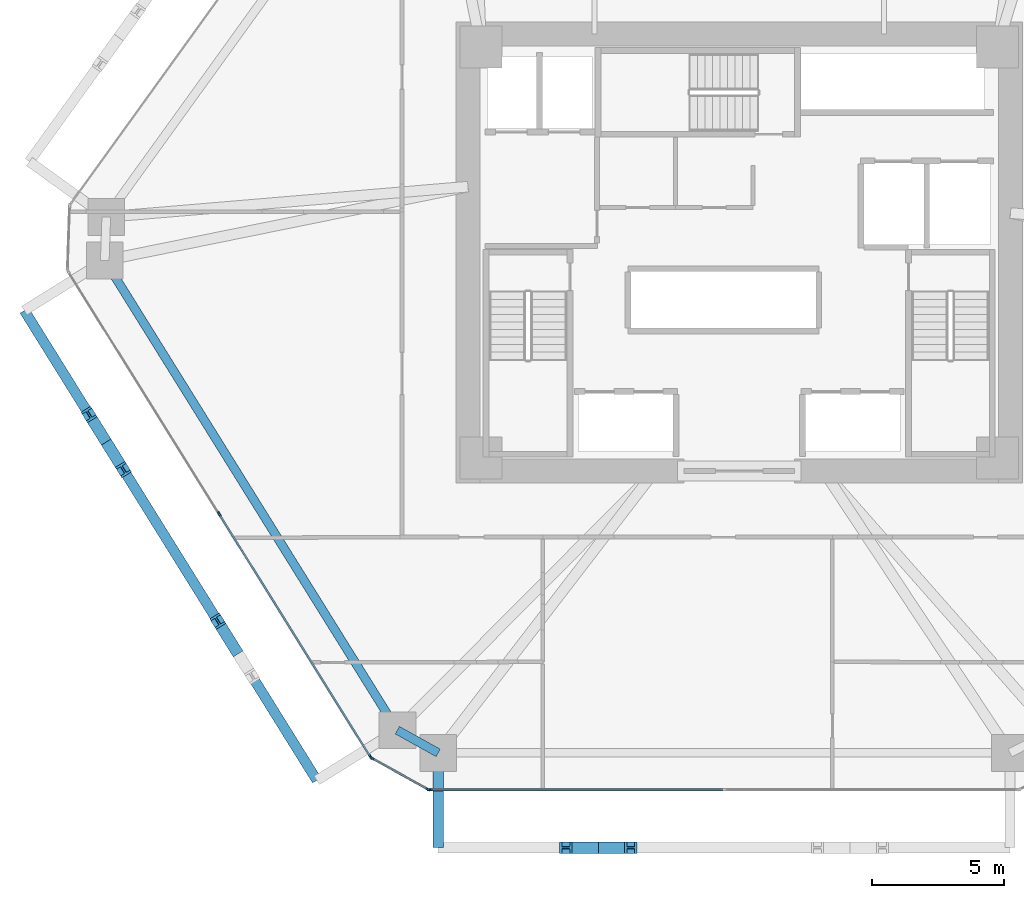
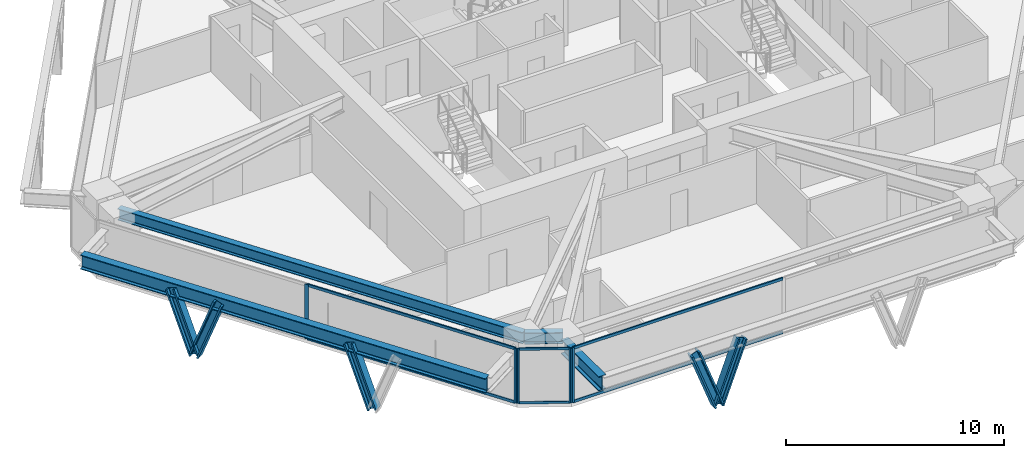
# One storey, part 2 of 14: 16 members, 4 beams, 3 elements without a shape of their own.
"""IFC4 building model written with IfcOpenShell, lengths in metres."""

from ifc_helpers import new_model, si_unit, direction, frame, origin, origin_2d, place, context, subcontext, project, spatial, rectangle, i_section, extrude, source, transform, mapped, material, layer, layer_set, material_profile, profile_set, type_object, type_shapes, element, aggregate, save


model = new_model("IFC4")

# Units and contexts
model_context = context("Model", 3, precision=1e-05, world=origin(), true_north=direction((0.0, 1.0)))
body_context = subcontext(model_context, "Body", "Model", "MODEL_VIEW")
ifc_project = project(units=[si_unit("LENGTHUNIT", "METRE"), si_unit("AREAUNIT", "SQUARE_METRE"), si_unit("VOLUMEUNIT", "CUBIC_METRE"), si_unit("PLANEANGLEUNIT", "RADIAN"), si_unit("MASSUNIT", "GRAM", prefix="KILO")], contexts=[model_context])

# Site, building, storey
site_placement = place(None, origin())
site = spatial("IfcSite", under=ifc_project, at=site_placement, CompositionType="ELEMENT")
building_placement = place(site_placement, origin())
building = spatial("IfcBuilding", under=site, at=building_placement, Name="Durnholm Broadcast Tower", CompositionType="ELEMENT")
storey_placement = place(building_placement, frame((0.0, 0.0, 48.89990234375)))
storey = spatial("IfcBuildingStorey", under=building, at=storey_placement, Name="L11", CompositionType="ELEMENT", Elevation=48.89990234375)

# Beams
ifc_material_1 = material(Name="Steel ASTM A992 Grade 50", Category="steel")
ifc_material_profile_1 = material_profile(ifc_material_1, i_section(OverallWidth=0.3291015625, OverallDepth=0.635009765625, WebThickness=0.017822265625, FlangeThickness=0.031005859375, FilletRadius=0.02783203125, at=origin_2d()), Name="W24X162")
ifc_profile_set_1 = profile_set([ifc_material_profile_1], Name="Steel ASTM A992 Grade 50")
beam_type_1 = type_object("IfcBeamType", Name="STL-SP-W24X162", PredefinedType="SPANDREL", material=ifc_profile_set_1)
shared_shape_1 = source(origin(), body_context, "Body", "SweptSolid", [
    extrude(i_section(OverallWidth=0.3291015625, OverallDepth=0.635009765625, WebThickness=0.017822265625, FlangeThickness=0.031005859375, FilletRadius=0.02783203125, at=origin_2d()), origin(), (0.0, 0.0, 1.0), 21.014404296875),
])
beam_1_placement = place(storey_placement, frame((-12.982666015625, -18.138427734375, 2.7275390625), z_axis=(-0.528595731543, 0.848873696491, 0.0), x_axis=(-0.848873696491, -0.528595731543, 0.0)))
element("IfcBeam", 1, at=beam_1_placement, inside=storey, type_object=beam_type_1, Name="L11 perimeter spandrel girder 01", PredefinedType="SPANDREL", context=body_context, shape_type="MappedRepresentation", body=[
    mapped(shared_shape_1, transform((0.0, 0.0, 0.0), x_axis=(1.0, 0.0, 0.0), y_axis=(0.0, 1.0, 0.0), z_axis=(0.0, 0.0, 1.0), scale=1.0)),
])
shared_shape_2 = source(origin(), body_context, "Body", "SweptSolid", [
    extrude(i_section(OverallWidth=0.3291015625, OverallDepth=0.635009765625, WebThickness=0.017822265625, FlangeThickness=0.031005859375, FilletRadius=0.02783203125, at=origin_2d()), origin(), (0.0, 0.0, 1.0), 1.774658203125),
])
type_shapes(beam_type_1, [shared_shape_1, shared_shape_2])
beam_2_placement = place(storey_placement, frame((-11.43115234375, -19.0, 2.7275390625), z_axis=(-0.874248107979, 0.485479397806, 0.0), x_axis=(-0.485479397806, -0.874248107979, 0.0)))
element("IfcBeam", 2, at=beam_2_placement, inside=storey, type_object=beam_type_1, Name="L11 perimeter spandrel girder 12", PredefinedType="SPANDREL", context=body_context, shape_type="MappedRepresentation", body=[
    mapped(shared_shape_2, transform((0.0, 0.0, 0.0), x_axis=(1.0, 0.0, 0.0), y_axis=(0.0, 1.0, 0.0), z_axis=(0.0, 0.0, 1.0), scale=1.0)),
])
ifc_material_profile_2 = material_profile(ifc_material_1, i_section(OverallWidth=0.385009765625, OverallDepth=0.802978515625, WebThickness=0.023681640625, FlangeThickness=0.0419921875, FilletRadius=0.032958984375, at=origin_2d()), Name="W30X261")
ifc_profile_set_2 = profile_set([ifc_material_profile_2], Name="Steel ASTM A992 Grade 50")
beam_type_2 = type_object("IfcBeamType", Name="BM-EXO-TIE", PredefinedType="USERDEFINED", material=ifc_profile_set_2)
shared_shape_3 = source(origin(), body_context, "Body", "SweptSolid", [
    extrude(i_section(OverallWidth=0.385009765625, OverallDepth=0.802978515625, WebThickness=0.023681640625, FlangeThickness=0.0419921875, FilletRadius=0.032958984375, at=origin_2d()), origin(), (0.0, 0.0, 1.0), 3.4560546875),
])
beam_3_placement = place(storey_placement, frame((-11.43115234375, -19.14404296875, 2.30859375), z_axis=(0.0, -1.0, 0.0), x_axis=(1.0, 0.0, 0.0)))
element("IfcBeam", 3, at=beam_3_placement, inside=storey, type_object=beam_type_2, Name="L11 exoskeleton stand-off tie bracket F1.1", ObjectType="GIRDER", PredefinedType="USERDEFINED", context=body_context, shape_type="MappedRepresentation", body=[
    mapped(shared_shape_3, transform((0.0, 0.0, 0.0), x_axis=(1.0, 0.0, 0.0), y_axis=(0.0, 1.0, 0.0), z_axis=(0.0, 0.0, 1.0), scale=1.0)),
])
shared_shape_4 = source(origin(), body_context, "Body", "SweptSolid", [
    extrude(i_section(OverallWidth=0.385009765625, OverallDepth=0.802978515625, WebThickness=0.023681640625, FlangeThickness=0.0419921875, FilletRadius=0.032958984375, at=origin_2d()), origin(), (0.0, 0.0, 1.0), 21.0146484375),
])
type_shapes(beam_type_2, [shared_shape_3, shared_shape_4])
beam_4_placement = place(storey_placement, frame((-27.146728515625, -2.20263671875, 2.30859375), z_axis=(0.528590518575, -0.848876942597, 0.0), x_axis=(0.848876942597, 0.528590518575, 0.0)))
element("IfcBeam", 4, at=beam_4_placement, inside=storey, type_object=beam_type_2, Name="L11 exoskeleton collector spandrel F6", PredefinedType="SPANDREL", context=body_context, shape_type="MappedRepresentation", body=[
    mapped(shared_shape_4, transform((0.0, 0.0, 0.0), x_axis=(1.0, 0.0, 0.0), y_axis=(0.0, 1.0, 0.0), z_axis=(0.0, 0.0, 1.0), scale=1.0)),
])

# Members
ifc_material_2 = material(Name="Steel ASTM A913 Grade 65", Category="steel")
ifc_material_profile_3 = material_profile(ifc_material_2, i_section(OverallWidth=0.43212890625, OverallDepth=0.497802734375, WebThickness=0.0556640625, FlangeThickness=0.0888671875, FilletRadius=0.030517578125, at=origin_2d()), Name="W14X500")
ifc_profile_set_3 = profile_set([ifc_material_profile_3], Name="Steel ASTM A913 Grade 65")
member_type_1 = type_object("IfcMemberType", Name="STL-DG-W14X500", PredefinedType="BRACE", material=ifc_profile_set_3)
shared_shape_5 = source(origin(), body_context, "Body", "SweptSolid", [
    extrude(i_section(OverallWidth=0.43212890625, OverallDepth=0.497802734375, WebThickness=0.0556640625, FlangeThickness=0.0888671875, FilletRadius=0.030517578125, at=origin_2d()), origin(), (0.0, 0.0, 1.0), 3.523193359375),
])
type_shapes(member_type_1, [shared_shape_5])
for number, where, z_axis, x_axis, name in (
    (5, (-5.351318359375, -22.60009765625, -0.991455078125), (-0.350219588454, 0.0, 0.936667625075), (0.0, -1.0, 0.0), "L11 stand-off diagrid brace F1.D1.1"),
    (6, (-5.351318359375, -22.60009765625, -0.991455078125), (0.350219588454, 0.0, 0.936667625075), (0.0, 1.0, 0.0), "L11 stand-off diagrid brace F1.D1.2"),
    (7, (-24.036376953125, -7.197509765625, -0.991455078125), (-0.185157304084, 0.297277258428, 0.936665897941), (-0.848819847179, -0.528682198523, 0.0), "L11 stand-off diagrid brace F6.D1.1"),
    (8, (-24.036376953125, -7.197509765625, -0.991455078125), (0.185090383068, -0.297281072018, 0.936677913861), (0.848908635391, 0.528539618911, 0.0), "L11 stand-off diagrid brace F6.D1.2"),
    (9, (-19.14892578125, -15.04638671875, -0.991455078125), (-0.185090383068, 0.297281072018, 0.936677913861), (-0.848908635391, -0.528539618911, 0.0), "L11 stand-off diagrid brace F6.D2.1"),
):
    element("IfcMember", number, at=place(storey_placement, frame(where, z_axis=z_axis, x_axis=x_axis)), inside=storey, type_object=member_type_1, Name=name, PredefinedType="BRACE", context=body_context, shape_type="MappedRepresentation", body=[
        mapped(shared_shape_5, transform((0.0, 0.0, 0.0), x_axis=(1.0, 0.0, 0.0), y_axis=(0.0, 1.0, 0.0), z_axis=(0.0, 0.0, 1.0), scale=1.0)),
    ])

# Curtain wall, members
ifc_material_3 = material(Name="Aluminium and Solar Control IGU", Category="aluminium")
ifc_layer_1 = layer(ifc_material_3, 0.1650390625)
ifc_layer_set_1 = layer_set([ifc_layer_1], Name="Aluminium and Solar Control IGU")
curtain_wall_type_1 = type_object("IfcCurtainWallType", Name="CW-SYS-5", PredefinedType="NOTDEFINED", material=ifc_layer_set_1)
curtain_wall_1_placement = place(storey_placement, origin())
curtain_wall_1 = element("IfcCurtainWall", 10, at=curtain_wall_1_placement, inside=storey, type_object=curtain_wall_type_1, Name="L11 curtain wall CW-CORNER CW-L11-CRN-11", PredefinedType="NOTDEFINED")
ifc_material_4 = material(Name="Aluminium 6063-T6", Category="aluminium")
ifc_material_profile_4 = material_profile(ifc_material_4, rectangle(XDim=0.06494140625, YDim=0.1650390625, at=origin_2d()), Name="CWM65X165")
ifc_profile_set_4 = profile_set([ifc_material_profile_4], Name="Aluminium 6063-T6")
member_type_2 = type_object("IfcMemberType", Name="CW-SYS-5-MUL", PredefinedType="MULLION", material=ifc_profile_set_4)
shared_shape_6 = source(origin(), body_context, "Body", "SweptSolid", [
    extrude(rectangle(XDim=0.06494140625, YDim=0.1650390625, at=origin_2d()), origin(), (0.0, 0.0, 1.0), 3.06005859375),
])
type_shapes(member_type_2, [shared_shape_6])
member_1_placement = place(storey_placement, frame((-11.822265625, -20.38427734375, 0.0), z_axis=(0.0, 0.0, 1.0), x_axis=(-0.485483299359, -0.874245941394, 0.0)))
member_1 = element("IfcMember", 11, at=member_1_placement, type_object=member_type_2, Name="CW-CORNER mullion 1", PredefinedType="MULLION", context=body_context, shape_type="MappedRepresentation", body=[
    mapped(shared_shape_6, transform((0.0, 0.0, 0.0), x_axis=(1.0, 0.0, 0.0), y_axis=(0.0, 1.0, 0.0), z_axis=(0.0, 0.0, 1.0), scale=1.0)),
])
member_2_placement = place(storey_placement, frame((-13.950927734375, -19.2021484375, 0.0), z_axis=(0.0, 0.0, 1.0), x_axis=(-0.485483299359, -0.874245941394, 0.0)))
member_2 = element("IfcMember", 12, at=member_2_placement, type_object=member_type_2, Name="CW-CORNER mullion 2", PredefinedType="MULLION", context=body_context, shape_type="MappedRepresentation", body=[
    mapped(shared_shape_6, transform((0.0, 0.0, 0.0), x_axis=(1.0, 0.0, 0.0), y_axis=(0.0, 1.0, 0.0), z_axis=(0.0, 0.0, 1.0), scale=1.0)),
])
ifc_material_profile_5 = material_profile(ifc_material_4, rectangle(XDim=0.06494140625, YDim=0.1298828125, at=origin_2d()), Name="CWT65X130")
ifc_profile_set_5 = profile_set([ifc_material_profile_5], Name="Aluminium 6063-T6")
member_type_3 = type_object("IfcMemberType", Name="CW-SYS-5-TRN", PredefinedType="USERDEFINED", material=ifc_profile_set_5)
shared_shape_7 = source(origin(), body_context, "Body", "SweptSolid", [
    extrude(rectangle(XDim=0.06494140625, YDim=0.1298828125, at=origin_2d()), origin(), (0.0, 0.0, 1.0), 2.3701171875),
])
type_shapes(member_type_3, [shared_shape_7])
member_3_placement = place(storey_placement, frame((-11.8505859375, -20.368408203125, 0.03271484375), z_axis=(-0.874244723151, 0.485485493132, 0.0), x_axis=(-0.485485493132, -0.874244723151, 0.0)))
member_3 = element("IfcMember", 13, at=member_3_placement, type_object=member_type_3, Name="CW-CORNER transom 1.1", ObjectType="TRANSOM", PredefinedType="USERDEFINED", context=body_context, shape_type="MappedRepresentation", body=[
    mapped(shared_shape_7, transform((0.0, 0.0, 0.0), x_axis=(1.0, 0.0, 0.0), y_axis=(0.0, 1.0, 0.0), z_axis=(0.0, 0.0, 1.0), scale=1.0)),
])
member_4_placement = place(storey_placement, frame((-11.8505859375, -20.368408203125, 3.027587890625), z_axis=(-0.874244723151, 0.485485493132, 0.0), x_axis=(-0.485485493132, -0.874244723151, 0.0)))
member_4 = element("IfcMember", 14, at=member_4_placement, type_object=member_type_3, Name="CW-CORNER transom 1.2", ObjectType="TRANSOM", PredefinedType="USERDEFINED", context=body_context, shape_type="MappedRepresentation", body=[
    mapped(shared_shape_7, transform((0.0, 0.0, 0.0), x_axis=(1.0, 0.0, 0.0), y_axis=(0.0, 1.0, 0.0), z_axis=(0.0, 0.0, 1.0), scale=1.0)),
])
aggregate(curtain_wall_1, [member_1, member_2, member_3, member_4])

# Curtain wall, member
ifc_layer_2 = layer(ifc_material_3, 0.18994140625)
ifc_layer_set_2 = layer_set([ifc_layer_2], Name="Aluminium and Solar Control IGU")
curtain_wall_type_2 = type_object("IfcCurtainWallType", Name="CW-SYS-3", PredefinedType="NOTDEFINED", material=ifc_layer_set_2)
curtain_wall_2_placement = place(storey_placement, origin())
curtain_wall_2 = element("IfcCurtainWall", 15, at=curtain_wall_2_placement, inside=storey, type_object=curtain_wall_type_2, Name="L11 curtain wall CW-Z12-VIS CW-L11-F10", PredefinedType="NOTDEFINED")
ifc_material_profile_6 = material_profile(ifc_material_4, rectangle(XDim=0.070068359375, YDim=0.18994140625, at=origin_2d()), Name="CWM70X190")
ifc_profile_set_6 = profile_set([ifc_material_profile_6], Name="Aluminium 6063-T6")
member_type_4 = type_object("IfcMemberType", Name="CW-SYS-3-MUL", PredefinedType="MULLION", material=ifc_profile_set_6)
shared_shape_8 = source(origin(), body_context, "Body", "SweptSolid", [
    extrude(rectangle(XDim=0.070068359375, YDim=0.18994140625, at=origin_2d()), origin(), (0.0, 0.0, 1.0), 3.06005859375),
])
type_shapes(member_type_4, [shared_shape_8])
member_5_placement = place(storey_placement, frame((-11.7587890625, -20.39990234375, 0.0), z_axis=(0.0, 0.0, 1.0), x_axis=(0.0, -1.0, 0.0)))
member_5 = element("IfcMember", 16, at=member_5_placement, type_object=member_type_4, Name="CW-Z12-VIS mullion 3", PredefinedType="MULLION", context=body_context, shape_type="MappedRepresentation", body=[
    mapped(shared_shape_8, transform((0.0, 0.0, 0.0), x_axis=(1.0, 0.0, 0.0), y_axis=(0.0, 1.0, 0.0), z_axis=(0.0, 0.0, 1.0), scale=1.0)),
])

# Curtain wall, members
curtain_wall_3_placement = place(storey_placement, origin())
curtain_wall_3 = element("IfcCurtainWall", 17, at=curtain_wall_3_placement, inside=storey, type_object=curtain_wall_type_2, Name="L11 curtain wall CW-Z12-VIS CW-L11-F12", PredefinedType="NOTDEFINED")
member_6_placement = place(storey_placement, frame((-13.997802734375, -19.156494140625, 0.0), z_axis=(0.0, 0.0, 1.0), x_axis=(-0.848875785503, -0.528592376777, 0.0)))
member_6 = element("IfcMember", 18, at=member_6_placement, type_object=member_type_4, Name="CW-Z12-VIS mullion 1", PredefinedType="MULLION", context=body_context, shape_type="MappedRepresentation", body=[
    mapped(shared_shape_8, transform((0.0, 0.0, 0.0), x_axis=(1.0, 0.0, 0.0), y_axis=(0.0, 1.0, 0.0), z_axis=(0.0, 0.0, 1.0), scale=1.0)),
])
member_7_placement = place(storey_placement, frame((-19.741943359375, -9.93212890625, 0.0), z_axis=(0.0, 0.0, 1.0), x_axis=(-0.848875785503, -0.528592376777, 0.0)))
member_7 = element("IfcMember", 19, at=member_7_placement, type_object=member_type_4, Name="CW-Z12-VIS mullion 2", PredefinedType="MULLION", context=body_context, shape_type="MappedRepresentation", body=[
    mapped(shared_shape_8, transform((0.0, 0.0, 0.0), x_axis=(1.0, 0.0, 0.0), y_axis=(0.0, 1.0, 0.0), z_axis=(0.0, 0.0, 1.0), scale=1.0)),
])
ifc_material_profile_7 = material_profile(ifc_material_4, rectangle(XDim=0.070068359375, YDim=0.14990234375, at=origin_2d()), Name="CWT70X150")
ifc_profile_set_7 = profile_set([ifc_material_profile_7], Name="Aluminium 6063-T6")
member_type_5 = type_object("IfcMemberType", Name="CW-SYS-3-TRN", PredefinedType="USERDEFINED", material=ifc_profile_set_7)
shared_shape_9 = source(origin(), body_context, "Body", "SweptSolid", [
    extrude(rectangle(XDim=0.070068359375, YDim=0.14990234375, at=origin_2d()), origin(), (0.0, 0.0, 1.0), 10.796630859375),
])
member_8_placement = place(storey_placement, frame((-14.016357421875, -19.126953125, 0.03515625), z_axis=(-0.528591657678, 0.848876233283, 0.0), x_axis=(-0.848876233283, -0.528591657678, 0.0)))
member_8 = element("IfcMember", 20, at=member_8_placement, type_object=member_type_5, Name="CW-Z12-VIS transom 1.1", ObjectType="TRANSOM", PredefinedType="USERDEFINED", context=body_context, shape_type="MappedRepresentation", body=[
    mapped(shared_shape_9, transform((0.0, 0.0, 0.0), x_axis=(1.0, 0.0, 0.0), y_axis=(0.0, 1.0, 0.0), z_axis=(0.0, 0.0, 1.0), scale=1.0)),
])
member_9_placement = place(storey_placement, frame((-14.016357421875, -19.126953125, 3.025146484375), z_axis=(-0.528591657678, 0.848876233283, 0.0), x_axis=(-0.848876233283, -0.528591657678, 0.0)))
member_9 = element("IfcMember", 21, at=member_9_placement, type_object=member_type_5, Name="CW-Z12-VIS transom 1.2", ObjectType="TRANSOM", PredefinedType="USERDEFINED", context=body_context, shape_type="MappedRepresentation", body=[
    mapped(shared_shape_9, transform((0.0, 0.0, 0.0), x_axis=(1.0, 0.0, 0.0), y_axis=(0.0, 1.0, 0.0), z_axis=(0.0, 0.0, 1.0), scale=1.0)),
])
aggregate(curtain_wall_3, [member_6, member_7, member_8, member_9])

# Member
shared_shape_10 = source(origin(), body_context, "Body", "SweptSolid", [
    extrude(rectangle(XDim=0.070068359375, YDim=0.14990234375, at=origin_2d()), origin(), (0.0, 0.0, 1.0), 11.10205078125),
])
type_shapes(member_type_5, [shared_shape_9, shared_shape_10])
member_10_placement = place(storey_placement, frame((-0.621826171875, -20.39990234375, 0.03515625), z_axis=(-1.0, 0.0, 0.0), x_axis=(0.0, -1.0, 0.0)))
member_10 = element("IfcMember", 22, at=member_10_placement, type_object=member_type_5, Name="CW-Z12-VIS transom 2.1", ObjectType="TRANSOM", PredefinedType="USERDEFINED", context=body_context, shape_type="MappedRepresentation", body=[
    mapped(shared_shape_10, transform((0.0, 0.0, 0.0), x_axis=(1.0, 0.0, 0.0), y_axis=(0.0, 1.0, 0.0), z_axis=(0.0, 0.0, 1.0), scale=1.0)),
])

member_11_placement = place(storey_placement, frame((-0.621826171875, -20.39990234375, 3.025146484375), z_axis=(-1.0, 0.0, 0.0), x_axis=(0.0, -1.0, 0.0)))
member_11 = element("IfcMember", 23, at=member_11_placement, type_object=member_type_5, Name="CW-Z12-VIS transom 2.2", ObjectType="TRANSOM", PredefinedType="USERDEFINED", context=body_context, shape_type="MappedRepresentation", body=[
    mapped(shared_shape_10, transform((0.0, 0.0, 0.0), x_axis=(1.0, 0.0, 0.0), y_axis=(0.0, 1.0, 0.0), z_axis=(0.0, 0.0, 1.0), scale=1.0)),
])

aggregate(curtain_wall_2, [member_5, member_10, member_11])

save(model, "model.ifc")
